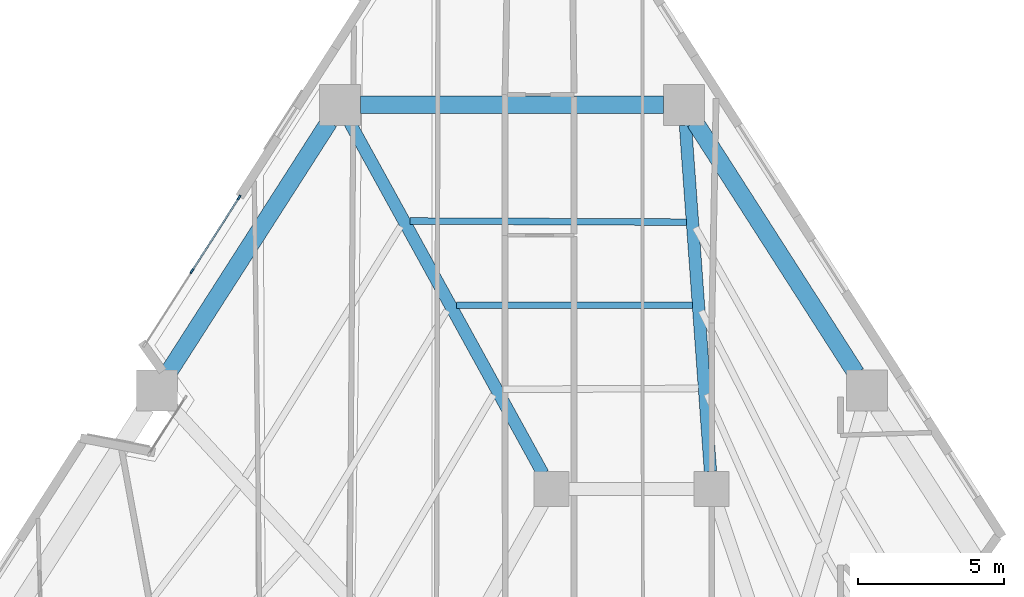
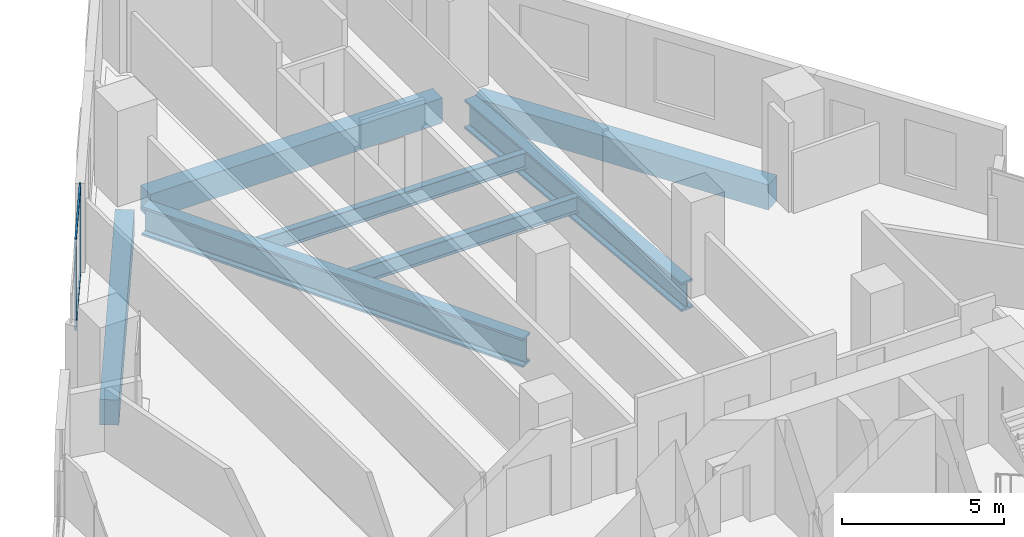
# One storey, part 6 of 15: 7 beams, 4 members, 1 element without a shape of its own.
"""IFC4 building model written with IfcOpenShell, lengths in metres."""

import ifcopenshell
import ifcopenshell.guid

model = None  # the IFC model being written
_history = None  # IfcOwnerHistory: only IFC2X3 demands one
_inside = {}  # id of a spatial element -> (the spatial element, [elements in it])
_under = {}  # id of a project, library or spatial element -> (it, [spatial elements below it])
_declared = {}  # id of a project -> (the project, [libraries it declares])
_typed = {}  # id of a type object -> (the type object, [elements of that type])
_made_of = {}  # id of a material, layer set ... -> (it, [elements and type objects made of it])


def new_model(schema):
    """Start an empty IFC model of exactly this schema.

    Asked for "IFC4X3", IfcOpenShell would pick the latest addendum, in which some entities
    have other attributes; the version numbers below select the first issue.
    IFC2X3 requires an IfcOwnerHistory on every rooted entity: one is made here for all.
    """
    global model, _history
    if schema == "IFC4X3":
        model = ifcopenshell.file(schema_version=(4, 3, 0, 0))
    else:
        model = ifcopenshell.file(schema=schema)
    _inside.clear()
    _under.clear()
    _declared.clear()
    _typed.clear()
    _made_of.clear()
    _history = None
    if model.schema == "IFC2X3":
        org = make("IfcOrganization", Name="unknown")
        user = make(
            "IfcPersonAndOrganization",
            ThePerson=make("IfcPerson", FamilyName="unknown"),
            TheOrganization=org,
        )
        app = make(
            "IfcApplication",
            ApplicationDeveloper=org,
            Version="unknown",
            ApplicationFullName="unknown",
            ApplicationIdentifier="unknown",
        )
        _history = make(
            "IfcOwnerHistory",
            OwningUser=user,
            OwningApplication=app,
            ChangeAction="ADDED",
            CreationDate=0,
        )
    return model


def make(cls, **values):
    """One entity of the class cls with the attributes given. An attribute that is None is left unset."""
    return model.create_entity(
        cls, **{name: value for name, value in values.items() if value is not None}
    )


def rooted(cls, **values):
    """An entity with a GlobalId (a new one), such as an element, a storey or a relation."""
    return make(cls, GlobalId=ifcopenshell.guid.new(), OwnerHistory=_history, **values)


def si_unit(unit_type, name, prefix=None):
    """IfcSIUnit, for example si_unit("LENGTHUNIT", "METRE", prefix="MILLI")."""
    return make("IfcSIUnit", UnitType=unit_type, Prefix=prefix, Name=name)


def assignment(units):
    """IfcUnitAssignment: the units of a project."""
    return None if units is None else make("IfcUnitAssignment", Units=units)


def point(xyz):
    """IfcCartesianPoint."""
    return None if xyz is None else make("IfcCartesianPoint", Coordinates=xyz)


def direction(xyz):
    """IfcDirection."""
    return None if xyz is None else make("IfcDirection", DirectionRatios=xyz)


def frame(location, z_axis=None, x_axis=None):
    """IfcAxis2Placement3D, a coordinate frame: its origin and axes. An axis left out is left unset."""
    return make(
        "IfcAxis2Placement3D",
        Location=point(location),
        Axis=direction(z_axis),
        RefDirection=direction(x_axis),
    )


def frame_2d(location, x_axis=None):
    """IfcAxis2Placement2D, a coordinate frame in the plane: its origin and x axis."""
    return make(
        "IfcAxis2Placement2D", Location=point(location), RefDirection=direction(x_axis)
    )


def origin():
    """The frame at (0, 0, 0) with its axes left unset."""
    return frame((0.0, 0.0, 0.0))


def origin_2d():
    """The frame at (0, 0) in the plane with its x axis left unset."""
    return frame_2d((0.0, 0.0))


def place(relative_to, where):
    """IfcLocalPlacement: puts the frame where relative to a parent placement (None: the world)."""
    return make(
        "IfcLocalPlacement", PlacementRelTo=relative_to, RelativePlacement=where
    )


def context(
    kind, dimensions, precision=None, world=None, true_north=None, identifier=None
):
    """IfcGeometricRepresentationContext, for example the 3D "Model" context."""
    return make(
        "IfcGeometricRepresentationContext",
        ContextIdentifier=identifier,
        ContextType=kind,
        CoordinateSpaceDimension=dimensions,
        Precision=precision,
        WorldCoordinateSystem=world,
        TrueNorth=true_north,
    )


def subcontext(parent, identifier, kind, view, scale=None):
    """IfcGeometricRepresentationSubContext, for example "Body" below "Model"."""
    return make(
        "IfcGeometricRepresentationSubContext",
        ContextIdentifier=identifier,
        ContextType=kind,
        ParentContext=parent,
        TargetScale=scale,
        TargetView=view,
    )


def project(units=None, contexts=None):
    """IfcProject with its units and contexts."""
    return rooted(
        "IfcProject",
        Name="project",
        RepresentationContexts=contexts,
        UnitsInContext=assignment(units),
    )


def spatial(cls, under=None, at=None, **own):
    """A site, building, storey or space (cls), placed at a placement, below another one or the project."""
    s = rooted(cls, ObjectPlacement=at, **own)
    if under is not None:
        _under.setdefault(under.id(), (under, []))[1].append(s)
    return s


def profile(cls, at=None, kind="AREA", **sizes):
    """A parametric profile (cls). Its sizes go by their IFC names, for example OverallWidth=200.0."""
    return make(cls, ProfileType=kind, Position=at, **sizes)


def rectangle(**sizes):
    """IfcRectangleProfileDef."""
    return profile("IfcRectangleProfileDef", **sizes)


def i_section(**sizes):
    """IfcIShapeProfileDef."""
    return profile("IfcIShapeProfileDef", **sizes)


def extrude(swept, where, along, depth):
    """IfcExtrudedAreaSolid: the profile swept, set in the frame where, extruded along a direction by depth."""
    return make(
        "IfcExtrudedAreaSolid",
        SweptArea=swept,
        Position=where,
        ExtrudedDirection=direction(along),
        Depth=depth,
    )


def shape(context_of_items, identifier, shape_type, items):
    """IfcShapeRepresentation: the items that make up one representation, for example the "Body"."""
    return make(
        "IfcShapeRepresentation",
        ContextOfItems=context_of_items,
        RepresentationIdentifier=identifier,
        RepresentationType=shape_type,
        Items=items,
    )


def material(Name=None, Category=None):
    """IfcMaterial."""
    return make("IfcMaterial", Name=Name, Category=Category)


def layer(
    of_material, thickness, ventilated=None, Name=None, Category=None, Priority=None
):
    """IfcMaterialLayer: one layer of a wall or slab, of a material (None: an air gap)."""
    return make(
        "IfcMaterialLayer",
        Material=of_material,
        LayerThickness=thickness,
        IsVentilated=ventilated,
        Name=Name,
        Category=Category,
        Priority=Priority,
    )


def layer_set(layers, Name=None):
    """IfcMaterialLayerSet."""
    return make("IfcMaterialLayerSet", MaterialLayers=layers, LayerSetName=Name)


def material_profile(
    of_material, cross_section, Name=None, Category=None, Priority=None
):
    """IfcMaterialProfile: a cross section and its material."""
    return make(
        "IfcMaterialProfile",
        Name=Name,
        Material=of_material,
        Profile=cross_section,
        Priority=Priority,
        Category=Category,
    )


def profile_set(profiles, Name=None, composite=None):
    """IfcMaterialProfileSet."""
    return make(
        "IfcMaterialProfileSet",
        Name=Name,
        MaterialProfiles=profiles,
        CompositeProfile=composite,
    )


def made_of(thing, what):
    """Note that an element or type object is made of a material, layer set ...; save() writes the relation."""
    if what is not None:
        _made_of.setdefault(what.id(), (what, []))[1].append(thing)
    return thing


def type_object(cls, material=None, **own):
    """A type object (cls), such as IfcWallType, which elements share."""
    return made_of(rooted(cls, **own), material)


def element(
    cls,
    number,
    at=None,
    inside=None,
    cuts=None,
    type_object=None,
    material=None,
    context=None,
    identifier="Body",
    shape_type=None,
    held_by="IfcProductDefinitionShape",
    body=None,
    shapes=None,
    **own,
):
    """One element of the class cls, such as IfcWall. Its Tag is "e" and its number.

    at: its placement. inside: the storey or other place that contains it. cuts: it is an
    opening in that element (IfcRelVoidsElement). A single representation is given by context,
    identifier, shape_type and body (its items); several are given by shapes. held_by: the class
    of the entity that holds the representations. save() writes the other relations.
    """
    e = rooted(cls, Tag="e%d" % number, ObjectPlacement=at, **own)
    if body is not None:
        shapes = [shape(context, identifier, shape_type, body)]
    if shapes is not None:
        e.Representation = make(held_by, Representations=shapes)
    if inside is not None:
        _inside.setdefault(inside.id(), (inside, []))[1].append(e)
    if cuts is not None:
        rooted(
            "IfcRelVoidsElement", RelatingBuildingElement=cuts, RelatedOpeningElement=e
        )
    if type_object is not None:
        _typed.setdefault(type_object.id(), (type_object, []))[1].append(e)
    return made_of(e, material)


def aggregate(whole, parts):
    """IfcRelAggregates: a whole, such as a stair, and the parts it consists of."""
    return rooted("IfcRelAggregates", RelatingObject=whole, RelatedObjects=parts)


def save(model, path):
    """Write the relations noted so far, then the file.

    IfcRelAggregates (storeys below a building ...), IfcRelContainedInSpatialStructure (elements
    in a storey), IfcRelDefinesByType, IfcRelAssociatesMaterial and IfcRelDeclares: one each for
    every whole, place, type object, material and project.
    """
    for whole, parts in _under.values():
        aggregate(whole, parts)
    for where, things in _inside.values():
        rooted(
            "IfcRelContainedInSpatialStructure",
            RelatedElements=things,
            RelatingStructure=where,
        )
    for kind, things in _typed.values():
        rooted("IfcRelDefinesByType", RelatedObjects=things, RelatingType=kind)
    for what, things in _made_of.values():
        rooted("IfcRelAssociatesMaterial", RelatedObjects=things, RelatingMaterial=what)
    for by, libraries in _declared.values():
        rooted("IfcRelDeclares", RelatingContext=by, RelatedDefinitions=libraries)
    model.write(path)


model = new_model("IFC4")

# Units and contexts
model_context = context("Model", 3, precision=1e-05, world=origin(), true_north=direction((0.0, 1.0)))
body_context = subcontext(model_context, "Body", "Model", "MODEL_VIEW")
ifc_project = project(units=[si_unit("LENGTHUNIT", "METRE"), si_unit("AREAUNIT", "SQUARE_METRE"), si_unit("VOLUMEUNIT", "CUBIC_METRE"), si_unit("PLANEANGLEUNIT", "RADIAN"), si_unit("MASSUNIT", "GRAM", prefix="KILO")], contexts=[model_context])

# Site, building, storey
site_placement = place(None, origin())
site = spatial("IfcSite", under=ifc_project, at=site_placement, CompositionType="ELEMENT")
building_placement = place(site_placement, origin())
building = spatial("IfcBuilding", under=site, at=building_placement, Name="Almagre Mirador Tower", CompositionType="ELEMENT")
storey_placement = place(building_placement, frame((0.0, 0.0, 39.0)))
storey = spatial("IfcBuildingStorey", under=building, at=storey_placement, Name="L08", CompositionType="ELEMENT", Elevation=39.0)

# Beams
ifc_material_1 = material(Name="Steel ASTM A992 Grade 50", Category="steel")
ifc_material_profile_1 = material_profile(ifc_material_1, i_section(OverallWidth=0.22802734375, OverallDepth=0.60791015625, WebThickness=0.01123046875, FlangeThickness=0.017333984375, FilletRadius=0.02001953125, at=origin_2d()), Name="W24X76")
ifc_profile_set_1 = profile_set([ifc_material_profile_1], Name="Steel ASTM A992 Grade 50")
beam_type_1 = type_object("IfcBeamType", Name="BM-JST-W24X76", PredefinedType="JOIST", material=ifc_profile_set_1)
beam_1_placement = place(storey_placement, frame((41.976806640625, 35.350341796875, -0.553955078125), z_axis=(-0.999991495419, 0.00412420774, 0.0), x_axis=(-0.00412420774, -0.999991495419, 0.0)))
element("IfcBeam", 1, at=beam_1_placement, inside=storey, type_object=beam_type_1, Name="L08 secondary floor joist PC08-PC09.1", PredefinedType="JOIST", context=body_context, shape_type="SweptSolid", body=[
    extrude(i_section(OverallWidth=0.22802734375, OverallDepth=0.60791015625, WebThickness=0.01123046875, FlangeThickness=0.017333984375, FilletRadius=0.02001953125, at=origin_2d()), origin(), (0.0, 0.0, 1.0), 9.471435546875),
])
beam_2_placement = place(storey_placement, frame((42.182861328125, 32.4990234375, -0.553955078125), z_axis=(-0.999999934402, 0.000362209454, 0.0), x_axis=(-0.000362209454, -0.999999934402, 0.0)))
element("IfcBeam", 2, at=beam_2_placement, inside=storey, type_object=beam_type_1, Name="L08 secondary floor joist PC08-PC09.2", PredefinedType="JOIST", context=body_context, shape_type="SweptSolid", body=[
    extrude(i_section(OverallWidth=0.22802734375, OverallDepth=0.60791015625, WebThickness=0.01123046875, FlangeThickness=0.017333984375, FilletRadius=0.02001953125, at=origin_2d()), origin(), (0.0, 0.0, 1.0), 8.08837890625),
])
ifc_material_2 = material(Name="Precast concrete C50/60", Category="concrete")
ifc_material_profile_2 = material_profile(ifc_material_2, rectangle(XDim=0.60009765625, YDim=0.949951171875, at=origin_2d()), Name="RC600X950")
ifc_profile_set_2 = profile_set([ifc_material_profile_2], Name="Precast concrete C50/60")
beam_type_2 = type_object("IfcBeamType", Name="BM-SPN-RC600X950", PredefinedType="SPANDREL", material=ifc_profile_set_2)
beam_3_placement = place(storey_placement, frame((47.80029296875, 30.162353515625, -0.72509765625), z_axis=(-0.539538717329, 0.841960790359, 0.0), x_axis=(-0.841960790359, -0.539538717329, 0.0)))
element("IfcBeam", 3, at=beam_3_placement, inside=storey, type_object=beam_type_2, Name="L08 perimeter spandrel beam PC07-PC08", PredefinedType="SPANDREL", context=body_context, shape_type="SweptSolid", body=[
    extrude(rectangle(XDim=0.60009765625, YDim=0.949951171875, at=origin_2d()), origin(), (0.0, 0.0, 1.0), 10.239501953125),
])
beam_4_placement = place(storey_placement, frame((41.197998046875, 39.373046875, -0.72509765625), z_axis=(-1.0, 0.0, 0.0), x_axis=(0.0, -1.0, 0.0)))
element("IfcBeam", 4, at=beam_4_placement, inside=storey, type_object=beam_type_2, Name="L08 perimeter spandrel beam PC08-PC09", PredefinedType="SPANDREL", context=body_context, shape_type="SweptSolid", body=[
    extrude(rectangle(XDim=0.60009765625, YDim=0.949951171875, at=origin_2d()), origin(), (0.0, 0.0, 1.0), 10.39599609375),
])
beam_5_placement = place(storey_placement, frame((29.724365234375, 38.78369140625, -0.72509765625), z_axis=(-0.539538717329, -0.841960790359, 0.0), x_axis=(0.841960790359, -0.539538717329, 0.0)))
element("IfcBeam", 5, at=beam_5_placement, inside=storey, type_object=beam_type_2, Name="L08 perimeter spandrel beam PC09-PC10", PredefinedType="SPANDREL", context=body_context, shape_type="SweptSolid", body=[
    extrude(rectangle(XDim=0.60009765625, YDim=0.949951171875, at=origin_2d()), origin(), (0.0, 0.0, 1.0), 10.239501953125),
])
ifc_material_3 = material(Name="Steel ASTM A913 Grade 65", Category="steel")
ifc_material_profile_3 = material_profile(ifc_material_3, i_section(OverallWidth=0.424072265625, OverallDepth=1.092041015625, WebThickness=0.04541015625, FlangeThickness=0.08203125, FilletRadius=0.030029296875, at=origin_2d()), Name="W40X593")
ifc_profile_set_3 = profile_set([ifc_material_profile_3], Name="Steel ASTM A913 Grade 65")
beam_type_3 = type_object("IfcBeamType", Name="BM-STL-W40X593", PredefinedType="BEAM", material=ifc_profile_set_3)
beam_6_placement = place(storey_placement, frame((41.948486328125, 38.6748046875, -0.7958984375), z_axis=(0.072089216544, -0.997398187715, 0.0), x_axis=(0.997398187715, 0.072089216544, 0.0)))
element("IfcBeam", 6, at=beam_6_placement, inside=storey, type_object=beam_type_3, Name="L08 radial floor girder PC08-MC6", PredefinedType="BEAM", context=body_context, shape_type="SweptSolid", body=[
    extrude(i_section(OverallWidth=0.424072265625, OverallDepth=1.092041015625, WebThickness=0.04541015625, FlangeThickness=0.08203125, FilletRadius=0.030029296875, at=origin_2d()), origin(), (0.0, 0.0, 1.0), 11.907470703125),
])
beam_7_placement = place(storey_placement, frame((30.439453125, 38.759765625, -0.7958984375), z_axis=(0.482060666066, -0.876137839745, 0.0), x_axis=(0.876137839745, 0.482060666066, 0.0)))
element("IfcBeam", 7, at=beam_7_placement, inside=storey, type_object=beam_type_3, Name="L08 radial floor girder PC09-MC7", PredefinedType="BEAM", context=body_context, shape_type="SweptSolid", body=[
    extrude(i_section(OverallWidth=0.424072265625, OverallDepth=1.092041015625, WebThickness=0.04541015625, FlangeThickness=0.08203125, FilletRadius=0.030029296875, at=origin_2d()), origin(), (0.0, 0.0, 1.0), 13.735595703125),
])

# Curtain wall, members
ifc_material_4 = material(Name="Black anodized aluminium", Category="aluminium")
ifc_layer = layer(ifc_material_4, 0.18994140625)
ifc_layer_set = layer_set([ifc_layer], Name="Black anodized aluminium")
curtain_wall_type = type_object("IfcCurtainWallType", Name="CW-RES-L-SYS", PredefinedType="NOTDEFINED", material=ifc_layer_set)
curtain_wall_placement = place(storey_placement, origin())
curtain_wall = element("IfcCurtainWall", 8, at=curtain_wall_placement, inside=storey, type_object=curtain_wall_type, Name="L08 curtain wall run 02", PredefinedType="NOTDEFINED")
ifc_material_5 = material(Name="Black anodized aluminium", Category="aluminium")
ifc_material_profile_4 = material_profile(ifc_material_5, rectangle(XDim=0.06494140625, YDim=0.179931640625, at=origin_2d()), Name="CWM65X180")
ifc_profile_set_4 = profile_set([ifc_material_profile_4], Name="Black anodized aluminium")
member_type_1 = type_object("IfcMemberType", Name="MBR-CWM65X180", PredefinedType="MULLION", material=ifc_profile_set_4)
member_1_placement = place(storey_placement, frame((25.0224609375, 33.66943359375, 0.0), z_axis=(0.0, 0.0, 1.0), x_axis=(-0.841967002982, 0.539529022287, 0.0)))
member_1 = element("IfcMember", 9, at=member_1_placement, type_object=member_type_1, Name="CW-2 mullion 2", PredefinedType="MULLION", context=body_context, shape_type="SweptSolid", body=[
    extrude(rectangle(XDim=0.06494140625, YDim=0.179931640625, at=origin_2d()), origin(), (0.0, 0.0, 1.0), 3.35009765625),
])
member_2_placement = place(storey_placement, frame((26.63916015625, 36.192626953125, 0.0), z_axis=(0.0, 0.0, 1.0), x_axis=(-0.841967002982, 0.539529022287, 0.0)))
member_2 = element("IfcMember", 10, at=member_2_placement, type_object=member_type_1, Name="CW-2 mullion 3", PredefinedType="MULLION", context=body_context, shape_type="SweptSolid", body=[
    extrude(rectangle(XDim=0.06494140625, YDim=0.179931640625, at=origin_2d()), origin(), (0.0, 0.0, 1.0), 3.35009765625),
])
ifc_material_6 = material(Name="Black anodized aluminium", Category="aluminium")
ifc_material_profile_5 = material_profile(ifc_material_6, rectangle(XDim=0.06005859375, YDim=0.1298828125, at=origin_2d()), Name="CWT60X130")
ifc_profile_set_5 = profile_set([ifc_material_profile_5], Name="Black anodized aluminium")
member_type_2 = type_object("IfcMemberType", Name="MBR-CWT60X130", PredefinedType="USERDEFINED", material=ifc_profile_set_5)
member_3_placement = place(storey_placement, frame((25.039794921875, 33.69677734375, 0.030029296875), z_axis=(0.539523852713, 0.841970315601, 0.0), x_axis=(-0.841970315601, 0.539523852713, 0.0)))
member_3 = element("IfcMember", 11, at=member_3_placement, type_object=member_type_2, Name="CW-2 transom 2.1", ObjectType="TRANSOM", PredefinedType="USERDEFINED", context=body_context, shape_type="SweptSolid", body=[
    extrude(rectangle(XDim=0.06005859375, YDim=0.1298828125, at=origin_2d()), origin(), (0.0, 0.0, 1.0), 2.931884765625),
])
member_4_placement = place(storey_placement, frame((25.039794921875, 33.69677734375, 3.320068359375), z_axis=(0.539523852713, 0.841970315601, 0.0), x_axis=(-0.841970315601, 0.539523852713, 0.0)))
member_4 = element("IfcMember", 12, at=member_4_placement, type_object=member_type_2, Name="CW-2 transom 2.2", ObjectType="TRANSOM", PredefinedType="USERDEFINED", context=body_context, shape_type="SweptSolid", body=[
    extrude(rectangle(XDim=0.06005859375, YDim=0.1298828125, at=origin_2d()), origin(), (0.0, 0.0, 1.0), 2.931884765625),
])
aggregate(curtain_wall, [member_1, member_2, member_3, member_4])

save(model, "model.ifc")
